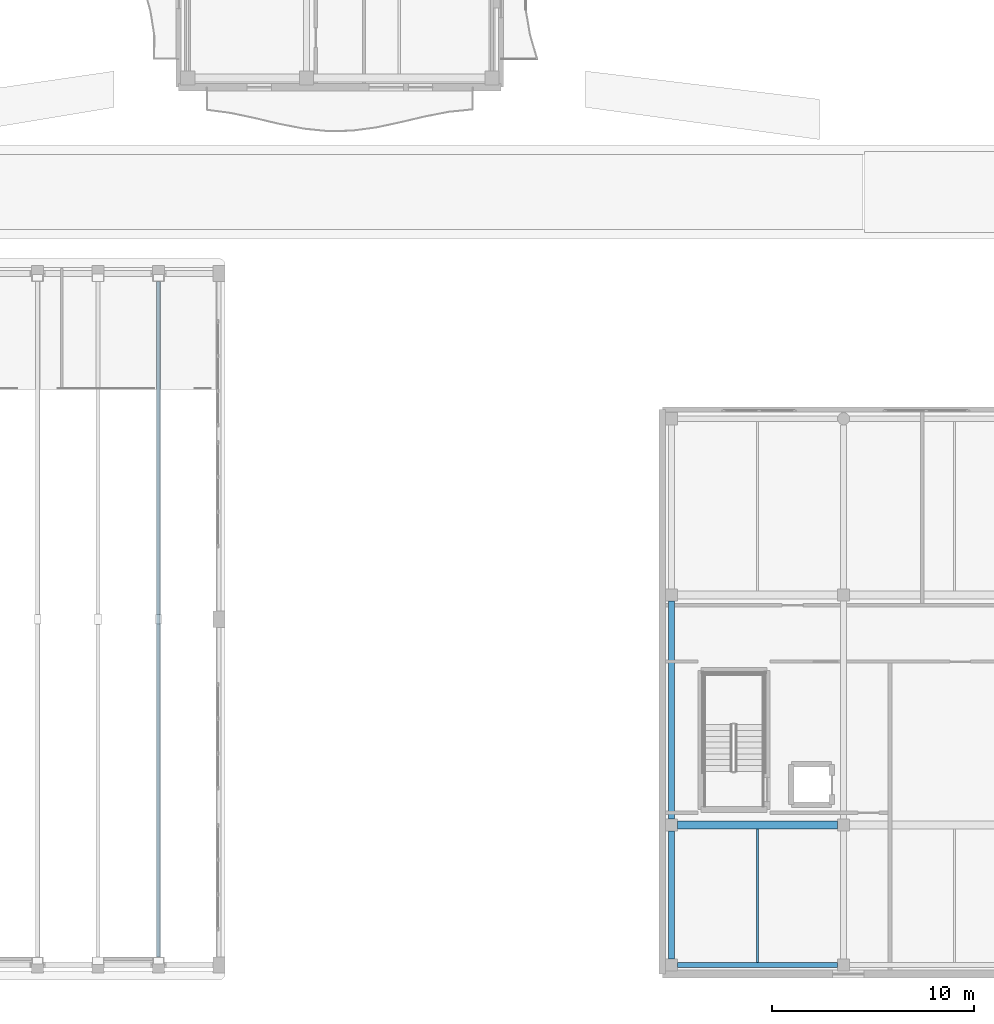
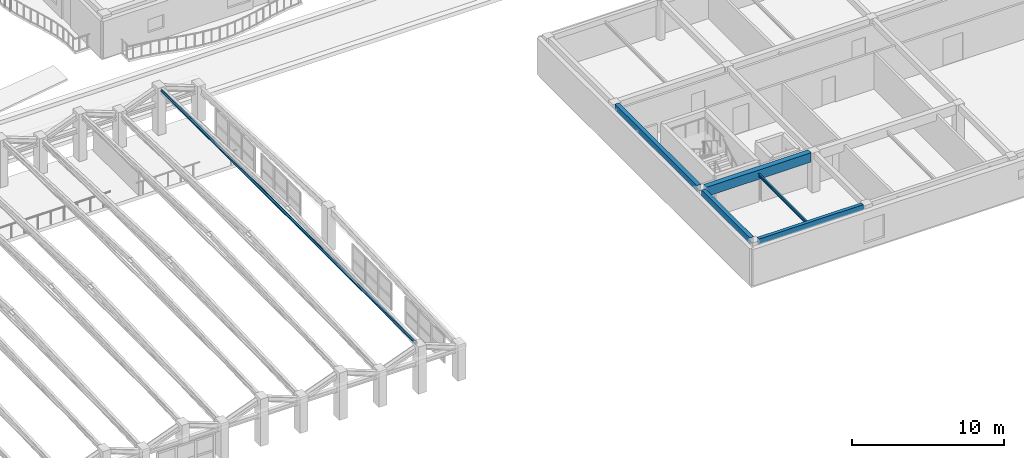
# One storey, part 30 of 128: 5 beams, 1 member.
"""IFC4 building model written with IfcOpenShell, lengths in metres."""

from ifc_helpers import new_model, si_unit, direction, frame, origin, origin_2d, place, context, subcontext, project, spatial, rectangle, hollow_circle, i_section, extrude, material, material_profile, profile_set, type_object, element, save


model = new_model("IFC4")

# Units and contexts
model_context = context("Model", 3, precision=1e-05, world=origin(), true_north=direction((0.0, 1.0)))
body_context = subcontext(model_context, "Body", "Model", "MODEL_VIEW")
ifc_project = project(units=[si_unit("LENGTHUNIT", "METRE"), si_unit("AREAUNIT", "SQUARE_METRE"), si_unit("VOLUMEUNIT", "CUBIC_METRE"), si_unit("PLANEANGLEUNIT", "RADIAN"), si_unit("MASSUNIT", "GRAM", prefix="KILO")], contexts=[model_context])

# Site, building, storey
site_placement = place(None, origin())
site = spatial("IfcSite", under=ifc_project, at=site_placement, CompositionType="ELEMENT")
building_placement = place(site_placement, origin())
building = spatial("IfcBuilding", under=site, at=building_placement, Name="Keldmere Railside Commons", CompositionType="ELEMENT")
storey_placement = place(building_placement, frame((0.0, 0.0, 4.159912109375)))
storey = spatial("IfcBuildingStorey", under=building, at=storey_placement, Name="L01", CompositionType="ELEMENT", Elevation=4.159912109375)

# Beam
ifc_material_1 = material(Name="Concrete H-35 (C35/45)", Category="concrete")
ifc_material_profile_1 = material_profile(ifc_material_1, rectangle(XDim=0.39990234375, YDim=0.75, at=origin_2d()), Name="RC-400x750")
ifc_profile_set_1 = profile_set([ifc_material_profile_1], Name="Concrete H-35 (C35/45)")
beam_type_1 = type_object("IfcBeamType", Name="Civic Frame RC Girder 400x750", PredefinedType="BEAM", material=ifc_profile_set_1)
beam_1_placement = place(storey_placement, frame((128.75, 19.39990234375, 2.8251953125), z_axis=(1.0, 0.0, 0.0), x_axis=(0.0, 1.0, 0.0)))
element("IfcBeam", 1, at=beam_1_placement, inside=storey, type_object=beam_type_1, Name="BG-2 BM-L01-0753", PredefinedType="BEAM", context=body_context, shape_type="SweptSolid", body=[
    extrude(rectangle(XDim=0.39990234375, YDim=0.75, at=origin_2d()), origin(), (0.0, 0.0, 1.0), 7.949951171875),
])

# Member
ifc_material_2 = material(Name="Steel F-36 (S355)", Category="steel")
ifc_material_profile_2 = material_profile(ifc_material_2, hollow_circle(Radius=0.109619140625, WallThickness=0.008056640625, at=origin_2d()), Name="CHS-219x8")
ifc_profile_set_2 = profile_set([ifc_material_profile_2], Name="Steel F-36 (S355)")
member_type = type_object("IfcMemberType", Name="Folded-Plate Transverse Tie Chord CHS219", PredefinedType="CHORD", material=ifc_profile_set_2)
member_placement = place(storey_placement, frame((103.0, 12.85009765625, 3.5400390625), z_axis=(0.0, 1.0, 0.0), x_axis=(-1.0, 0.0, 0.0)))
element("IfcMember", 2, at=member_placement, inside=storey, type_object=member_type, Name="CHD-1 MEM-RCHD-019", PredefinedType="CHORD", context=body_context, shape_type="SweptSolid", body=[
    extrude(hollow_circle(Radius=0.109619140625, WallThickness=0.008056640625, at=origin_2d()), origin(), (0.0, 0.0, 1.0), 33.5),
])

# Beams
ifc_material_profile_3 = material_profile(ifc_material_2, i_section(OverallWidth=0.1201171875, OverallDepth=0.239990234375, WebThickness=0.006103515625, FlangeThickness=0.009765625, at=origin_2d()), Name="IPE-240")
ifc_profile_set_3 = profile_set([ifc_material_profile_3], Name="Steel F-36 (S355)")
beam_type_2 = type_object("IfcBeamType", Name="Nursery & Mezzanine Steel Joist IPE240", PredefinedType="JOIST", material=ifc_profile_set_3)
beam_2_placement = place(storey_placement, frame((132.72509765625, 12.574951171875, 2.81005859375), z_axis=(0.0, 1.0, 0.0), x_axis=(-1.0, 0.0, 0.0)))
element("IfcBeam", 3, at=beam_2_placement, inside=storey, type_object=beam_type_2, Name="JST-2 BM-L01-0982", PredefinedType="JOIST", context=body_context, shape_type="SweptSolid", body=[
    extrude(i_section(OverallWidth=0.1201171875, OverallDepth=0.239990234375, WebThickness=0.006103515625, FlangeThickness=0.009765625, at=origin_2d()), origin(), (0.0, 0.0, 1.0), 6.625),
])
ifc_material_3 = material(Name="Architectural Precast Concrete H-35 (C35/45)", Category="concrete")
ifc_material_profile_4 = material_profile(ifc_material_3, rectangle(XDim=0.25, YDim=0.449951171875, at=origin_2d()), Name="RC-250x450")
ifc_profile_set_4 = profile_set([ifc_material_profile_4], Name="Architectural Precast Concrete H-35 (C35/45)")
beam_type_3 = type_object("IfcBeamType", Name="Perimeter Precast Spandrel Beam 250x450", PredefinedType="SPANDREL", material=ifc_profile_set_4)
beam_3_placement = place(storey_placement, frame((128.75, 12.449951171875, 2.97509765625), z_axis=(1.0, 0.0, 0.0), x_axis=(0.0, 1.0, 0.0)))
element("IfcBeam", 4, at=beam_3_placement, inside=storey, type_object=beam_type_3, Name="SPB-1 BM-L01-0744", PredefinedType="SPANDREL", context=body_context, shape_type="SweptSolid", body=[
    extrude(rectangle(XDim=0.25, YDim=0.449951171875, at=origin_2d()), origin(), (0.0, 0.0, 1.0), 7.949951171875),
])
ifc_material_4 = material(Name="Concrete H-30 (C30/37)", Category="concrete")
ifc_material_profile_5 = material_profile(ifc_material_4, rectangle(XDim=0.300048828125, YDim=0.5, at=origin_2d()), Name="RC-300x500")
ifc_profile_set_5 = profile_set([ifc_material_profile_5], Name="Concrete H-30 (C30/37)")
beam_type_4 = type_object("IfcBeamType", Name="Secondary Frame RC Beam 300x500", PredefinedType="BEAM", material=ifc_profile_set_5)
beam_4_placement = place(storey_placement, frame((128.449951171875, 12.75, 2.9501953125), z_axis=(0.0, 1.0, 0.0), x_axis=(-1.0, 0.0, 0.0)))
element("IfcBeam", 5, at=beam_4_placement, inside=storey, type_object=beam_type_4, Name="BG-5 BM-L01-0937", PredefinedType="BEAM", context=body_context, shape_type="SweptSolid", body=[
    extrude(rectangle(XDim=0.300048828125, YDim=0.5, at=origin_2d()), origin(), (0.0, 0.0, 1.0), 6.35009765625),
])
beam_5_placement = place(storey_placement, frame((128.449951171875, 19.699951171875, 2.9501953125), z_axis=(0.0, 1.0, 0.0), x_axis=(-1.0, 0.0, 0.0)))
element("IfcBeam", 6, at=beam_5_placement, inside=storey, type_object=beam_type_4, Name="BG-5 BM-L01-0938", PredefinedType="BEAM", context=body_context, shape_type="SweptSolid", body=[
    extrude(rectangle(XDim=0.300048828125, YDim=0.5, at=origin_2d()), origin(), (0.0, 0.0, 1.0), 10.800048828125),
])

save(model, "model.ifc")
